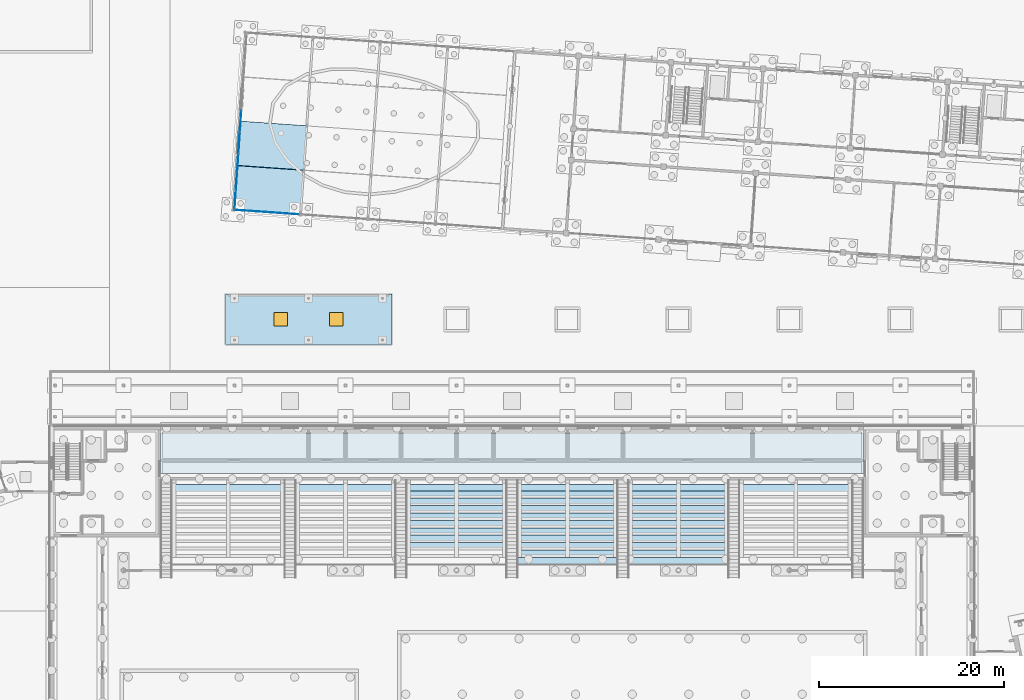
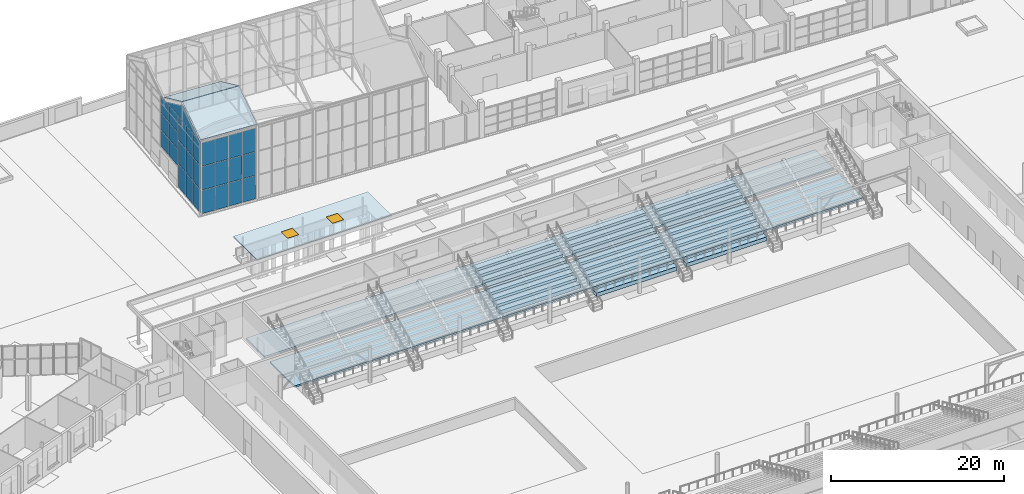
# One storey, part 67 of 157: 31 slabs, 30 plates, 2 windows, 2 openings, 3 elements without a shape of their own.
"""IFC4 building model written with IfcOpenShell, lengths in metres."""

from ifc_helpers import new_model, si_unit, direction, frame, origin, origin_2d, place, context, subcontext, project, spatial, polyline, rectangle, outline, extrude, material, layer, layer_set, type_object, element, fill, aggregate, save


model = new_model("IFC4")

# Units and contexts
model_context = context("Model", 3, precision=1e-05, world=origin(), true_north=direction((0.0, 1.0)))
body_context = subcontext(model_context, "Body", "Model", "MODEL_VIEW")
ifc_project = project(units=[si_unit("LENGTHUNIT", "METRE"), si_unit("AREAUNIT", "SQUARE_METRE"), si_unit("VOLUMEUNIT", "CUBIC_METRE"), si_unit("PLANEANGLEUNIT", "RADIAN"), si_unit("MASSUNIT", "GRAM", prefix="KILO")], contexts=[model_context])

# Site, building, storey
site_placement = place(None, origin())
site = spatial("IfcSite", under=ifc_project, at=site_placement, CompositionType="ELEMENT")
building_placement = place(site_placement, origin())
building = spatial("IfcBuilding", under=site, at=building_placement, Name="Windward Yard Aquatics Centre", CompositionType="ELEMENT")
storey_placement = place(building_placement, origin())
storey = spatial("IfcBuildingStorey", under=building, at=storey_placement, Name="L00", CompositionType="ELEMENT", Elevation=0.0)

# Slabs
ifc_material_1 = material(Name="Concrete C35/45", Category="concrete")
ifc_layer_1 = layer(ifc_material_1, 0.25)
ifc_layer_set_1 = layer_set([ifc_layer_1], Name="H ground slab 250 C35/45")
slab_type_1 = type_object("IfcSlabType", Name="H ground slab 250 C35/45", PredefinedType="BASESLAB", material=ifc_layer_set_1)
slab_1_placement = place(storey_placement, frame((0.0, 0.0, -0.25)))
element("IfcSlab", 1, at=slab_1_placement, inside=storey, type_object=slab_type_1, Name="H.GS.06", PredefinedType="BASESLAB", context=body_context, shape_type="SweptSolid", body=[
    extrude(outline(polyline([(64.0, 84.0), (64.0, 89.6904296875), (140.0, 89.6904296875), (140.0, 84.0), (64.0, 84.0)])), origin(), (0.0, 0.0, 1.0), 0.25),
])
slab_2_placement = place(storey_placement, frame((0.0, 0.0, -0.25)))
element("IfcSlab", 2, at=slab_2_placement, inside=storey, type_object=slab_type_1, Name="H.GS.07", PredefinedType="BASESLAB", context=body_context, shape_type="SweptSolid", body=[
    extrude(outline(polyline([(64.0, 90.890380859375), (64.0, 95.175048828125), (140.0, 95.175048828125), (140.0, 90.890380859375), (64.0, 90.890380859375)])), origin(), (0.0, 0.0, 1.0), 0.25),
])
ifc_layer_2 = layer(ifc_material_1, 0.5400390625)
ifc_layer_set_2 = layer_set([ifc_layer_2], Name="H seating unit 540 C35/45")
slab_type_2 = type_object("IfcSlabType", Name="H seating unit 540 C35/45", PredefinedType="USERDEFINED", material=ifc_layer_set_2)
slab_3_placement = place(storey_placement, frame((0.0, 0.0, 1.580078125)))
element("IfcSlab", 3, at=slab_3_placement, inside=storey, type_object=slab_type_2, Name="H.ST.N.3.R03", ObjectType="SEATING UNIT", PredefinedType="USERDEFINED", context=body_context, shape_type="SweptSolid", body=[
    extrude(outline(polyline([(90.625, 82.60009765625), (101.375, 82.60009765625), (101.375, 83.39990234375), (90.625, 83.39990234375), (90.625, 82.60009765625)])), origin(), (0.0, 0.0, 1.0), 0.5400390625),
])
slab_4_placement = place(storey_placement, frame((0.0, 0.0, 1.93994140625)))
element("IfcSlab", 4, at=slab_4_placement, inside=storey, type_object=slab_type_2, Name="H.ST.N.3.R04", ObjectType="SEATING UNIT", PredefinedType="USERDEFINED", context=body_context, shape_type="SweptSolid", body=[
    extrude(outline(polyline([(90.625, 83.39990234375), (101.375, 83.39990234375), (101.375, 84.199951171875), (90.625, 84.199951171875), (90.625, 83.39990234375)])), origin(), (0.0, 0.0, 1.0), 0.5400390625),
])
slab_5_placement = place(storey_placement, frame((0.0, 0.0, 2.300048828125)))
element("IfcSlab", 5, at=slab_5_placement, inside=storey, type_object=slab_type_2, Name="H.ST.N.3.R05", ObjectType="SEATING UNIT", PredefinedType="USERDEFINED", context=body_context, shape_type="SweptSolid", body=[
    extrude(outline(polyline([(90.625, 84.199951171875), (101.375, 84.199951171875), (101.375, 85.0), (90.625, 85.0), (90.625, 84.199951171875)])), origin(), (0.0, 0.0, 1.0), 0.5400390625),
])
slab_6_placement = place(storey_placement, frame((0.0, 0.0, 2.659912109375)))
element("IfcSlab", 6, at=slab_6_placement, inside=storey, type_object=slab_type_2, Name="H.ST.N.3.R06", ObjectType="SEATING UNIT", PredefinedType="USERDEFINED", context=body_context, shape_type="SweptSolid", body=[
    extrude(outline(polyline([(90.625, 85.0), (101.375, 85.0), (101.375, 85.800048828125), (90.625, 85.800048828125), (90.625, 85.0)])), origin(), (0.0, 0.0, 1.0), 0.5400390625),
])
slab_7_placement = place(storey_placement, frame((0.0, 0.0, 3.02001953125)))
element("IfcSlab", 7, at=slab_7_placement, inside=storey, type_object=slab_type_2, Name="H.ST.N.3.R07", ObjectType="SEATING UNIT", PredefinedType="USERDEFINED", context=body_context, shape_type="SweptSolid", body=[
    extrude(outline(polyline([(90.625, 85.800048828125), (101.375, 85.800048828125), (101.375, 86.60009765625), (90.625, 86.60009765625), (90.625, 85.800048828125)])), origin(), (0.0, 0.0, 1.0), 0.5400390625),
])
slab_8_placement = place(storey_placement, frame((0.0, 0.0, 3.3798828125)))
element("IfcSlab", 8, at=slab_8_placement, inside=storey, type_object=slab_type_2, Name="H.ST.N.3.R08", ObjectType="SEATING UNIT", PredefinedType="USERDEFINED", context=body_context, shape_type="SweptSolid", body=[
    extrude(outline(polyline([(90.625, 86.60009765625), (101.375, 86.60009765625), (101.375, 87.39990234375), (90.625, 87.39990234375), (90.625, 86.60009765625)])), origin(), (0.0, 0.0, 1.0), 0.5400390625),
])
slab_9_placement = place(storey_placement, frame((0.0, 0.0, 3.739990234375)))
element("IfcSlab", 9, at=slab_9_placement, inside=storey, type_object=slab_type_2, Name="H.ST.N.3.R09", ObjectType="SEATING UNIT", PredefinedType="USERDEFINED", context=body_context, shape_type="SweptSolid", body=[
    extrude(outline(polyline([(90.625, 87.39990234375), (101.375, 87.39990234375), (101.375, 88.199951171875), (90.625, 88.199951171875), (90.625, 87.39990234375)])), origin(), (0.0, 0.0, 1.0), 0.5400390625),
])
slab_10_placement = place(storey_placement, frame((0.0, 0.0, 4.10009765625)))
element("IfcSlab", 10, at=slab_10_placement, inside=storey, type_object=slab_type_2, Name="H.ST.N.3.R10", ObjectType="SEATING UNIT", PredefinedType="USERDEFINED", context=body_context, shape_type="SweptSolid", body=[
    extrude(outline(polyline([(90.625, 88.199951171875), (101.375, 88.199951171875), (101.375, 89.0), (90.625, 89.0), (90.625, 88.199951171875)])), origin(), (0.0, 0.0, 1.0), 0.539794921875),
])
slab_11_placement = place(storey_placement, frame((0.0, 0.0, 0.860107421875)))
element("IfcSlab", 11, at=slab_11_placement, inside=storey, type_object=slab_type_2, Name="H.ST.N.4.R01", ObjectType="SEATING UNIT", PredefinedType="USERDEFINED", context=body_context, shape_type="SweptSolid", body=[
    extrude(outline(polyline([(102.625, 81.0), (113.375, 81.0), (113.375, 81.800048828125), (102.625, 81.800048828125), (102.625, 81.0)])), origin(), (0.0, 0.0, 1.0), 0.539794921875),
])
slab_12_placement = place(storey_placement, frame((0.0, 0.0, 1.219970703125)))
element("IfcSlab", 12, at=slab_12_placement, inside=storey, type_object=slab_type_2, Name="H.ST.N.4.R02", ObjectType="SEATING UNIT", PredefinedType="USERDEFINED", context=body_context, shape_type="SweptSolid", body=[
    extrude(outline(polyline([(102.625, 81.800048828125), (113.375, 81.800048828125), (113.375, 82.60009765625), (102.625, 82.60009765625), (102.625, 81.800048828125)])), origin(), (0.0, 0.0, 1.0), 0.5400390625),
])
slab_13_placement = place(storey_placement, frame((0.0, 0.0, 1.580078125)))
element("IfcSlab", 13, at=slab_13_placement, inside=storey, type_object=slab_type_2, Name="H.ST.N.4.R03", ObjectType="SEATING UNIT", PredefinedType="USERDEFINED", context=body_context, shape_type="SweptSolid", body=[
    extrude(outline(polyline([(102.625, 82.60009765625), (113.375, 82.60009765625), (113.375, 83.39990234375), (102.625, 83.39990234375), (102.625, 82.60009765625)])), origin(), (0.0, 0.0, 1.0), 0.5400390625),
])
slab_14_placement = place(storey_placement, frame((0.0, 0.0, 1.93994140625)))
element("IfcSlab", 14, at=slab_14_placement, inside=storey, type_object=slab_type_2, Name="H.ST.N.4.R04", ObjectType="SEATING UNIT", PredefinedType="USERDEFINED", context=body_context, shape_type="SweptSolid", body=[
    extrude(outline(polyline([(102.625, 83.39990234375), (113.375, 83.39990234375), (113.375, 84.199951171875), (102.625, 84.199951171875), (102.625, 83.39990234375)])), origin(), (0.0, 0.0, 1.0), 0.5400390625),
])
slab_15_placement = place(storey_placement, frame((0.0, 0.0, 2.300048828125)))
element("IfcSlab", 15, at=slab_15_placement, inside=storey, type_object=slab_type_2, Name="H.ST.N.4.R05", ObjectType="SEATING UNIT", PredefinedType="USERDEFINED", context=body_context, shape_type="SweptSolid", body=[
    extrude(outline(polyline([(102.625, 84.199951171875), (113.375, 84.199951171875), (113.375, 85.0), (102.625, 85.0), (102.625, 84.199951171875)])), origin(), (0.0, 0.0, 1.0), 0.5400390625),
])
slab_16_placement = place(storey_placement, frame((0.0, 0.0, 2.659912109375)))
element("IfcSlab", 16, at=slab_16_placement, inside=storey, type_object=slab_type_2, Name="H.ST.N.4.R06", ObjectType="SEATING UNIT", PredefinedType="USERDEFINED", context=body_context, shape_type="SweptSolid", body=[
    extrude(outline(polyline([(102.625, 85.0), (113.375, 85.0), (113.375, 85.800048828125), (102.625, 85.800048828125), (102.625, 85.0)])), origin(), (0.0, 0.0, 1.0), 0.5400390625),
])
slab_17_placement = place(storey_placement, frame((0.0, 0.0, 3.02001953125)))
element("IfcSlab", 17, at=slab_17_placement, inside=storey, type_object=slab_type_2, Name="H.ST.N.4.R07", ObjectType="SEATING UNIT", PredefinedType="USERDEFINED", context=body_context, shape_type="SweptSolid", body=[
    extrude(outline(polyline([(102.625, 85.800048828125), (113.375, 85.800048828125), (113.375, 86.60009765625), (102.625, 86.60009765625), (102.625, 85.800048828125)])), origin(), (0.0, 0.0, 1.0), 0.5400390625),
])
slab_18_placement = place(storey_placement, frame((0.0, 0.0, 3.3798828125)))
element("IfcSlab", 18, at=slab_18_placement, inside=storey, type_object=slab_type_2, Name="H.ST.N.4.R08", ObjectType="SEATING UNIT", PredefinedType="USERDEFINED", context=body_context, shape_type="SweptSolid", body=[
    extrude(outline(polyline([(102.625, 86.60009765625), (113.375, 86.60009765625), (113.375, 87.39990234375), (102.625, 87.39990234375), (102.625, 86.60009765625)])), origin(), (0.0, 0.0, 1.0), 0.5400390625),
])
slab_19_placement = place(storey_placement, frame((0.0, 0.0, 3.739990234375)))
element("IfcSlab", 19, at=slab_19_placement, inside=storey, type_object=slab_type_2, Name="H.ST.N.4.R09", ObjectType="SEATING UNIT", PredefinedType="USERDEFINED", context=body_context, shape_type="SweptSolid", body=[
    extrude(outline(polyline([(102.625, 87.39990234375), (113.375, 87.39990234375), (113.375, 88.199951171875), (102.625, 88.199951171875), (102.625, 87.39990234375)])), origin(), (0.0, 0.0, 1.0), 0.5400390625),
])
slab_20_placement = place(storey_placement, frame((0.0, 0.0, 4.10009765625)))
element("IfcSlab", 20, at=slab_20_placement, inside=storey, type_object=slab_type_2, Name="H.ST.N.4.R10", ObjectType="SEATING UNIT", PredefinedType="USERDEFINED", context=body_context, shape_type="SweptSolid", body=[
    extrude(outline(polyline([(102.625, 88.199951171875), (113.375, 88.199951171875), (113.375, 89.0), (102.625, 89.0), (102.625, 88.199951171875)])), origin(), (0.0, 0.0, 1.0), 0.539794921875),
])
slab_21_placement = place(storey_placement, frame((0.0, 0.0, 0.860107421875)))
element("IfcSlab", 21, at=slab_21_placement, inside=storey, type_object=slab_type_2, Name="H.ST.N.5.R01", ObjectType="SEATING UNIT", PredefinedType="USERDEFINED", context=body_context, shape_type="SweptSolid", body=[
    extrude(outline(polyline([(114.625, 81.0), (125.375, 81.0), (125.375, 81.800048828125), (114.625, 81.800048828125), (114.625, 81.0)])), origin(), (0.0, 0.0, 1.0), 0.539794921875),
])
slab_22_placement = place(storey_placement, frame((0.0, 0.0, 1.219970703125)))
element("IfcSlab", 22, at=slab_22_placement, inside=storey, type_object=slab_type_2, Name="H.ST.N.5.R02", ObjectType="SEATING UNIT", PredefinedType="USERDEFINED", context=body_context, shape_type="SweptSolid", body=[
    extrude(outline(polyline([(114.625, 81.800048828125), (125.375, 81.800048828125), (125.375, 82.60009765625), (114.625, 82.60009765625), (114.625, 81.800048828125)])), origin(), (0.0, 0.0, 1.0), 0.5400390625),
])
slab_23_placement = place(storey_placement, frame((0.0, 0.0, 1.580078125)))
element("IfcSlab", 23, at=slab_23_placement, inside=storey, type_object=slab_type_2, Name="H.ST.N.5.R03", ObjectType="SEATING UNIT", PredefinedType="USERDEFINED", context=body_context, shape_type="SweptSolid", body=[
    extrude(outline(polyline([(114.625, 82.60009765625), (125.375, 82.60009765625), (125.375, 83.39990234375), (114.625, 83.39990234375), (114.625, 82.60009765625)])), origin(), (0.0, 0.0, 1.0), 0.5400390625),
])
slab_24_placement = place(storey_placement, frame((0.0, 0.0, 1.93994140625)))
element("IfcSlab", 24, at=slab_24_placement, inside=storey, type_object=slab_type_2, Name="H.ST.N.5.R04", ObjectType="SEATING UNIT", PredefinedType="USERDEFINED", context=body_context, shape_type="SweptSolid", body=[
    extrude(outline(polyline([(114.625, 83.39990234375), (125.375, 83.39990234375), (125.375, 84.199951171875), (114.625, 84.199951171875), (114.625, 83.39990234375)])), origin(), (0.0, 0.0, 1.0), 0.5400390625),
])
slab_25_placement = place(storey_placement, frame((0.0, 0.0, 2.300048828125)))
element("IfcSlab", 25, at=slab_25_placement, inside=storey, type_object=slab_type_2, Name="H.ST.N.5.R05", ObjectType="SEATING UNIT", PredefinedType="USERDEFINED", context=body_context, shape_type="SweptSolid", body=[
    extrude(outline(polyline([(114.625, 84.199951171875), (125.375, 84.199951171875), (125.375, 85.0), (114.625, 85.0), (114.625, 84.199951171875)])), origin(), (0.0, 0.0, 1.0), 0.5400390625),
])
slab_26_placement = place(storey_placement, frame((0.0, 0.0, 2.659912109375)))
element("IfcSlab", 26, at=slab_26_placement, inside=storey, type_object=slab_type_2, Name="H.ST.N.5.R06", ObjectType="SEATING UNIT", PredefinedType="USERDEFINED", context=body_context, shape_type="SweptSolid", body=[
    extrude(outline(polyline([(114.625, 85.0), (125.375, 85.0), (125.375, 85.800048828125), (114.625, 85.800048828125), (114.625, 85.0)])), origin(), (0.0, 0.0, 1.0), 0.5400390625),
])
slab_27_placement = place(storey_placement, frame((0.0, 0.0, 3.02001953125)))
element("IfcSlab", 27, at=slab_27_placement, inside=storey, type_object=slab_type_2, Name="H.ST.N.5.R07", ObjectType="SEATING UNIT", PredefinedType="USERDEFINED", context=body_context, shape_type="SweptSolid", body=[
    extrude(outline(polyline([(114.625, 85.800048828125), (125.375, 85.800048828125), (125.375, 86.60009765625), (114.625, 86.60009765625), (114.625, 85.800048828125)])), origin(), (0.0, 0.0, 1.0), 0.5400390625),
])
slab_28_placement = place(storey_placement, frame((0.0, 0.0, 3.3798828125)))
element("IfcSlab", 28, at=slab_28_placement, inside=storey, type_object=slab_type_2, Name="H.ST.N.5.R08", ObjectType="SEATING UNIT", PredefinedType="USERDEFINED", context=body_context, shape_type="SweptSolid", body=[
    extrude(outline(polyline([(114.625, 86.60009765625), (125.375, 86.60009765625), (125.375, 87.39990234375), (114.625, 87.39990234375), (114.625, 86.60009765625)])), origin(), (0.0, 0.0, 1.0), 0.5400390625),
])
slab_29_placement = place(storey_placement, frame((0.0, 0.0, 3.739990234375)))
element("IfcSlab", 29, at=slab_29_placement, inside=storey, type_object=slab_type_2, Name="H.ST.N.5.R09", ObjectType="SEATING UNIT", PredefinedType="USERDEFINED", context=body_context, shape_type="SweptSolid", body=[
    extrude(outline(polyline([(114.625, 87.39990234375), (125.375, 87.39990234375), (125.375, 88.199951171875), (114.625, 88.199951171875), (114.625, 87.39990234375)])), origin(), (0.0, 0.0, 1.0), 0.5400390625),
])
slab_30_placement = place(storey_placement, frame((0.0, 0.0, 4.10009765625)))
element("IfcSlab", 30, at=slab_30_placement, inside=storey, type_object=slab_type_2, Name="H.ST.N.5.R10", ObjectType="SEATING UNIT", PredefinedType="USERDEFINED", context=body_context, shape_type="SweptSolid", body=[
    extrude(outline(polyline([(114.625, 88.199951171875), (125.375, 88.199951171875), (125.375, 89.0), (114.625, 89.0), (114.625, 88.199951171875)])), origin(), (0.0, 0.0, 1.0), 0.539794921875),
])

# Curtain wall, plates
ifc_material_2 = material(Name="Aluminium curtain wall system", Category="aluminium")
curtain_wall_type = type_object("IfcCurtainWallType", Name="W curtain wall 1900", PredefinedType="NOTDEFINED", material=ifc_material_2)
curtain_wall_1_placement = place(storey_placement, origin())
curtain_wall_1 = element("IfcCurtainWall", 31, at=curtain_wall_1_placement, inside=storey, type_object=curtain_wall_type, Name="Wing south glazing L00 4", PredefinedType="NOTDEFINED")
ifc_material_3 = material(Name="Double glazed unit")
ifc_layer_3 = layer(ifc_material_3, 0.028076171875)
ifc_layer_set_3 = layer_set([ifc_layer_3], Name="W CW panel IGU 28")
plate_type_1 = type_object("IfcPlateType", Name="W CW panel IGU 28", PredefinedType="CURTAIN_PANEL", material=ifc_layer_set_3)
plate_1_placement = place(storey_placement, frame((72.87158203125, 119.31201171875, 0.06005859375), z_axis=(0.0, 0.0, 1.0), x_axis=(0.997564065823, -0.069756251182, 0.0)))
plate_1 = element("IfcPlate", 32, at=plate_1_placement, type_object=plate_type_1, Name="WCW1 panel 1.1", PredefinedType="CURTAIN_PANEL", context=body_context, shape_type="SweptSolid", body=[
    extrude(rectangle(XDim=1.67138671875, YDim=0.028076171875, at=origin_2d()), origin(), (0.0, 0.0, 1.0), 3.27587890625),
])
plate_2_placement = place(storey_placement, frame((72.87158203125, 119.31201171875, 3.39599609375), z_axis=(0.0, 0.0, 1.0), x_axis=(0.997564065823, -0.069756251182, 0.0)))
plate_2 = element("IfcPlate", 33, at=plate_2_placement, type_object=plate_type_1, Name="WCW1 panel 1.2", PredefinedType="CURTAIN_PANEL", context=body_context, shape_type="SweptSolid", body=[
    extrude(rectangle(XDim=1.67138671875, YDim=0.028076171875, at=origin_2d()), origin(), (0.0, 0.0, 1.0), 3.305908203125),
])
plate_3_placement = place(storey_placement, frame((72.87158203125, 119.31201171875, 6.761962890625), z_axis=(0.0, 0.0, 1.0), x_axis=(0.997564065823, -0.069756251182, 0.0)))
plate_3 = element("IfcPlate", 34, at=plate_3_placement, type_object=plate_type_1, Name="WCW1 panel 1.3", PredefinedType="CURTAIN_PANEL", context=body_context, shape_type="SweptSolid", body=[
    extrude(rectangle(XDim=1.67138671875, YDim=0.028076171875, at=origin_2d()), origin(), (0.0, 0.0, 1.0), 3.27587890625),
])
plate_4_placement = place(storey_placement, frame((74.61376953125, 119.190185546875, 0.06005859375), z_axis=(0.0, 0.0, 1.0), x_axis=(0.997564065823, -0.069756251182, 0.0)))
plate_4 = element("IfcPlate", 35, at=plate_4_placement, type_object=plate_type_1, Name="WCW1 panel 2.1", PredefinedType="CURTAIN_PANEL", context=body_context, shape_type="SweptSolid", body=[
    extrude(rectangle(XDim=1.701416015625, YDim=0.028076171875, at=origin_2d()), origin(), (0.0, 0.0, 1.0), 3.27587890625),
])
plate_5_placement = place(storey_placement, frame((74.61376953125, 119.190185546875, 3.39599609375), z_axis=(0.0, 0.0, 1.0), x_axis=(0.997564065823, -0.069756251182, 0.0)))
plate_5 = element("IfcPlate", 36, at=plate_5_placement, type_object=plate_type_1, Name="WCW1 panel 2.2", PredefinedType="CURTAIN_PANEL", context=body_context, shape_type="SweptSolid", body=[
    extrude(rectangle(XDim=1.701416015625, YDim=0.028076171875, at=origin_2d()), origin(), (0.0, 0.0, 1.0), 3.305908203125),
])
plate_6_placement = place(storey_placement, frame((74.61376953125, 119.190185546875, 6.761962890625), z_axis=(0.0, 0.0, 1.0), x_axis=(0.997564065823, -0.069756251182, 0.0)))
plate_6 = element("IfcPlate", 37, at=plate_6_placement, type_object=plate_type_1, Name="WCW1 panel 2.3", PredefinedType="CURTAIN_PANEL", context=body_context, shape_type="SweptSolid", body=[
    extrude(rectangle(XDim=1.701416015625, YDim=0.028076171875, at=origin_2d()), origin(), (0.0, 0.0, 1.0), 3.27587890625),
])
plate_7_placement = place(storey_placement, frame((76.370849609375, 119.067138671875, 0.06005859375), z_axis=(0.0, 0.0, 1.0), x_axis=(0.997564065823, -0.069756251182, 0.0)))
plate_7 = element("IfcPlate", 38, at=plate_7_placement, type_object=plate_type_1, Name="WCW1 panel 3.1", PredefinedType="CURTAIN_PANEL", context=body_context, shape_type="SweptSolid", body=[
    extrude(rectangle(XDim=1.701416015625, YDim=0.028076171875, at=origin_2d()), origin(), (0.0, 0.0, 1.0), 3.27587890625),
])
plate_8_placement = place(storey_placement, frame((76.370849609375, 119.067138671875, 3.39599609375), z_axis=(0.0, 0.0, 1.0), x_axis=(0.997564065823, -0.069756251182, 0.0)))
plate_8 = element("IfcPlate", 39, at=plate_8_placement, type_object=plate_type_1, Name="WCW1 panel 3.2", PredefinedType="CURTAIN_PANEL", context=body_context, shape_type="SweptSolid", body=[
    extrude(rectangle(XDim=1.701416015625, YDim=0.028076171875, at=origin_2d()), origin(), (0.0, 0.0, 1.0), 3.305908203125),
])
plate_9_placement = place(storey_placement, frame((76.370849609375, 119.067138671875, 6.761962890625), z_axis=(0.0, 0.0, 1.0), x_axis=(0.997564065823, -0.069756251182, 0.0)))
plate_9 = element("IfcPlate", 40, at=plate_9_placement, type_object=plate_type_1, Name="WCW1 panel 3.3", PredefinedType="CURTAIN_PANEL", context=body_context, shape_type="SweptSolid", body=[
    extrude(rectangle(XDim=1.701416015625, YDim=0.028076171875, at=origin_2d()), origin(), (0.0, 0.0, 1.0), 3.27587890625),
])
plate_10_placement = place(storey_placement, frame((78.113037109375, 118.9453125, 0.06005859375), z_axis=(0.0, 0.0, 1.0), x_axis=(0.997564065823, -0.069756251182, 0.0)))
plate_10 = element("IfcPlate", 41, at=plate_10_placement, type_object=plate_type_1, Name="WCW1 panel 4.1", PredefinedType="CURTAIN_PANEL", context=body_context, shape_type="SweptSolid", body=[
    extrude(rectangle(XDim=1.67138671875, YDim=0.028076171875, at=origin_2d()), origin(), (0.0, 0.0, 1.0), 3.27587890625),
])
plate_11_placement = place(storey_placement, frame((78.113037109375, 118.9453125, 3.39599609375), z_axis=(0.0, 0.0, 1.0), x_axis=(0.997564065823, -0.069756251182, 0.0)))
plate_11 = element("IfcPlate", 42, at=plate_11_placement, type_object=plate_type_1, Name="WCW1 panel 4.2", PredefinedType="CURTAIN_PANEL", context=body_context, shape_type="SweptSolid", body=[
    extrude(rectangle(XDim=1.67138671875, YDim=0.028076171875, at=origin_2d()), origin(), (0.0, 0.0, 1.0), 3.305908203125),
])
plate_12_placement = place(storey_placement, frame((78.113037109375, 118.9453125, 6.761962890625), z_axis=(0.0, 0.0, 1.0), x_axis=(0.997564065823, -0.069756251182, 0.0)))
plate_12 = element("IfcPlate", 43, at=plate_12_placement, type_object=plate_type_1, Name="WCW1 panel 4.3", PredefinedType="CURTAIN_PANEL", context=body_context, shape_type="SweptSolid", body=[
    extrude(rectangle(XDim=1.67138671875, YDim=0.028076171875, at=origin_2d()), origin(), (0.0, 0.0, 1.0), 3.27587890625),
])
aggregate(curtain_wall_1, [plate_1, plate_2, plate_3, plate_4, plate_5, plate_6, plate_7, plate_8, plate_9, plate_10, plate_11, plate_12])

curtain_wall_2_placement = place(storey_placement, origin())
curtain_wall_2 = element("IfcCurtainWall", 44, at=curtain_wall_2_placement, inside=storey, type_object=curtain_wall_type, Name="Wing west glazing L00 1", PredefinedType="NOTDEFINED")
plate_13_placement = place(storey_placement, frame((72.05712890625, 120.509033203125, 0.06005859375), z_axis=(0.0, 0.0, 1.0), x_axis=(0.069763319677, 0.997563571522, 0.0)))
plate_13 = element("IfcPlate", 45, at=plate_13_placement, type_object=plate_type_1, Name="WCW1 panel 1.1", PredefinedType="CURTAIN_PANEL", context=body_context, shape_type="SweptSolid", body=[
    extrude(rectangle(XDim=1.901123046875, YDim=0.028076171875, at=origin_2d()), origin(), (0.0, 0.0, 1.0), 3.27587890625),
])
plate_14_placement = place(storey_placement, frame((72.05712890625, 120.509033203125, 3.39599609375), z_axis=(0.0, 0.0, 1.0), x_axis=(0.069763319677, 0.997563571522, 0.0)))
plate_14 = element("IfcPlate", 46, at=plate_14_placement, type_object=plate_type_1, Name="WCW1 panel 1.2", PredefinedType="CURTAIN_PANEL", context=body_context, shape_type="SweptSolid", body=[
    extrude(rectangle(XDim=1.901123046875, YDim=0.028076171875, at=origin_2d()), origin(), (0.0, 0.0, 1.0), 3.305908203125),
])
plate_15_placement = place(storey_placement, frame((72.05712890625, 120.509033203125, 6.761962890625), z_axis=(0.0, 0.0, 1.0), x_axis=(0.069763319677, 0.997563571522, 0.0)))
plate_15 = element("IfcPlate", 47, at=plate_15_placement, type_object=plate_type_1, Name="WCW1 panel 1.3", PredefinedType="CURTAIN_PANEL", context=body_context, shape_type="SweptSolid", body=[
    extrude(rectangle(XDim=1.901123046875, YDim=0.028076171875, at=origin_2d()), origin(), (0.0, 0.0, 1.0), 3.27587890625),
])
plate_16_placement = place(storey_placement, frame((72.195068359375, 122.48046875, 0.06005859375), z_axis=(0.0, 0.0, 1.0), x_axis=(0.069763319677, 0.997563571522, 0.0)))
plate_16 = element("IfcPlate", 48, at=plate_16_placement, type_object=plate_type_1, Name="WCW1 panel 2.1", PredefinedType="CURTAIN_PANEL", context=body_context, shape_type="SweptSolid", body=[
    extrude(rectangle(XDim=1.930908203125, YDim=0.028076171875, at=origin_2d()), origin(), (0.0, 0.0, 1.0), 3.27587890625),
])
plate_17_placement = place(storey_placement, frame((72.195068359375, 122.48046875, 3.39599609375), z_axis=(0.0, 0.0, 1.0), x_axis=(0.069763319677, 0.997563571522, 0.0)))
plate_17 = element("IfcPlate", 49, at=plate_17_placement, type_object=plate_type_1, Name="WCW1 panel 2.2", PredefinedType="CURTAIN_PANEL", context=body_context, shape_type="SweptSolid", body=[
    extrude(rectangle(XDim=1.930908203125, YDim=0.028076171875, at=origin_2d()), origin(), (0.0, 0.0, 1.0), 3.305908203125),
])
plate_18_placement = place(storey_placement, frame((72.195068359375, 122.48046875, 6.761962890625), z_axis=(0.0, 0.0, 1.0), x_axis=(0.069763319677, 0.997563571522, 0.0)))
plate_18 = element("IfcPlate", 50, at=plate_18_placement, type_object=plate_type_1, Name="WCW1 panel 2.3", PredefinedType="CURTAIN_PANEL", context=body_context, shape_type="SweptSolid", body=[
    extrude(rectangle(XDim=1.930908203125, YDim=0.028076171875, at=origin_2d()), origin(), (0.0, 0.0, 1.0), 3.27587890625),
])
plate_19_placement = place(storey_placement, frame((72.3330078125, 124.45166015625, 0.06005859375), z_axis=(0.0, 0.0, 1.0), x_axis=(0.069763319677, 0.997563571522, 0.0)))
plate_19 = element("IfcPlate", 51, at=plate_19_placement, type_object=plate_type_1, Name="WCW1 panel 3.1", PredefinedType="CURTAIN_PANEL", context=body_context, shape_type="SweptSolid", body=[
    extrude(rectangle(XDim=1.901123046875, YDim=0.028076171875, at=origin_2d()), origin(), (0.0, 0.0, 1.0), 3.27587890625),
])
plate_20_placement = place(storey_placement, frame((72.3330078125, 124.45166015625, 3.39599609375), z_axis=(0.0, 0.0, 1.0), x_axis=(0.069763319677, 0.997563571522, 0.0)))
plate_20 = element("IfcPlate", 52, at=plate_20_placement, type_object=plate_type_1, Name="WCW1 panel 3.2", PredefinedType="CURTAIN_PANEL", context=body_context, shape_type="SweptSolid", body=[
    extrude(rectangle(XDim=1.901123046875, YDim=0.028076171875, at=origin_2d()), origin(), (0.0, 0.0, 1.0), 3.305908203125),
])
plate_21_placement = place(storey_placement, frame((72.3330078125, 124.45166015625, 6.761962890625), z_axis=(0.0, 0.0, 1.0), x_axis=(0.069763319677, 0.997563571522, 0.0)))
plate_21 = element("IfcPlate", 53, at=plate_21_placement, type_object=plate_type_1, Name="WCW1 panel 3.3", PredefinedType="CURTAIN_PANEL", context=body_context, shape_type="SweptSolid", body=[
    extrude(rectangle(XDim=1.901123046875, YDim=0.028076171875, at=origin_2d()), origin(), (0.0, 0.0, 1.0), 3.27587890625),
])
aggregate(curtain_wall_2, [plate_13, plate_14, plate_15, plate_16, plate_17, plate_18, plate_19, plate_20, plate_21])

curtain_wall_3_placement = place(storey_placement, origin())
curtain_wall_3 = element("IfcCurtainWall", 54, at=curtain_wall_3_placement, inside=storey, type_object=curtain_wall_type, Name="Wing west glazing L00 3", PredefinedType="NOTDEFINED")
plate_22_placement = place(storey_placement, frame((72.48583984375, 126.638427734375, 2.9599609375), z_axis=(0.0, 0.0, 1.0), x_axis=(0.069757620279, 0.997563970086, 0.0)))
plate_22 = element("IfcPlate", 55, at=plate_22_placement, type_object=plate_type_1, Name="WCW1 panel 1.1", PredefinedType="CURTAIN_PANEL", context=body_context, shape_type="SweptSolid", body=[
    extrude(rectangle(XDim=2.243408203125, YDim=0.028076171875, at=origin_2d()), origin(), (0.0, 0.0, 1.0), 2.309326171875),
])
plate_23_placement = place(storey_placement, frame((72.48583984375, 126.638427734375, 5.329345703125), z_axis=(0.0, 0.0, 1.0), x_axis=(0.069757620279, 0.997563970086, 0.0)))
plate_23 = element("IfcPlate", 56, at=plate_23_placement, type_object=plate_type_1, Name="WCW1 panel 1.2", PredefinedType="CURTAIN_PANEL", context=body_context, shape_type="SweptSolid", body=[
    extrude(rectangle(XDim=2.243408203125, YDim=0.028076171875, at=origin_2d()), origin(), (0.0, 0.0, 1.0), 2.33935546875),
])
plate_24_placement = place(storey_placement, frame((72.48583984375, 126.638427734375, 7.728515625), z_axis=(0.0, 0.0, 1.0), x_axis=(0.069757620279, 0.997563970086, 0.0)))
plate_24 = element("IfcPlate", 57, at=plate_24_placement, type_object=plate_type_1, Name="WCW1 panel 1.3", PredefinedType="CURTAIN_PANEL", context=body_context, shape_type="SweptSolid", body=[
    extrude(rectangle(XDim=2.243408203125, YDim=0.028076171875, at=origin_2d()), origin(), (0.0, 0.0, 1.0), 2.309326171875),
])
plate_25_placement = place(storey_placement, frame((72.6474609375, 128.951171875, 2.9599609375), z_axis=(0.0, 0.0, 1.0), x_axis=(0.069757620279, 0.997563970086, 0.0)))
plate_25 = element("IfcPlate", 58, at=plate_25_placement, type_object=plate_type_1, Name="WCW1 panel 2.1", PredefinedType="CURTAIN_PANEL", context=body_context, shape_type="SweptSolid", body=[
    extrude(rectangle(XDim=2.2734375, YDim=0.028076171875, at=origin_2d()), origin(), (0.0, 0.0, 1.0), 2.309326171875),
])
plate_26_placement = place(storey_placement, frame((72.6474609375, 128.951171875, 5.329345703125), z_axis=(0.0, 0.0, 1.0), x_axis=(0.069757620279, 0.997563970086, 0.0)))
plate_26 = element("IfcPlate", 59, at=plate_26_placement, type_object=plate_type_1, Name="WCW1 panel 2.2", PredefinedType="CURTAIN_PANEL", context=body_context, shape_type="SweptSolid", body=[
    extrude(rectangle(XDim=2.2734375, YDim=0.028076171875, at=origin_2d()), origin(), (0.0, 0.0, 1.0), 2.33935546875),
])
plate_27_placement = place(storey_placement, frame((72.6474609375, 128.951171875, 7.728515625), z_axis=(0.0, 0.0, 1.0), x_axis=(0.069757620279, 0.997563970086, 0.0)))
plate_27 = element("IfcPlate", 60, at=plate_27_placement, type_object=plate_type_1, Name="WCW1 panel 2.3", PredefinedType="CURTAIN_PANEL", context=body_context, shape_type="SweptSolid", body=[
    extrude(rectangle(XDim=2.2734375, YDim=0.028076171875, at=origin_2d()), origin(), (0.0, 0.0, 1.0), 2.309326171875),
])
aggregate(curtain_wall_3, [plate_22, plate_23, plate_24, plate_25, plate_26, plate_27])

# Plates
ifc_material_4 = material(Name="Laminated glass", Category="glass")
ifc_layer_4 = layer(ifc_material_4, 0.0400390625)
ifc_layer_set_4 = layer_set([ifc_layer_4], Name="W glazed roof panel 40")
plate_type_2 = type_object("IfcPlateType", Name="W glazed roof panel 40", PredefinedType="SHEET", material=ifc_layer_set_4)
plate_28_placement = place(storey_placement, frame((71.9853515625, 119.373779296875, 9.904052734375), z_axis=(-0.997563958943, 0.069757761163, 5.0740791e-05), x_axis=(0.069757761253, 0.997563960228, 0.0)))
element("IfcPlate", 61, at=plate_28_placement, inside=storey, type_object=plate_type_2, Name="W.GLT.1", PredefinedType="SHEET", context=body_context, shape_type="SweptSolid", body=[
    extrude(outline(polyline([(0.0, 0.0), (9.600046, 0.0), (4.800032, -2.399902), (0.0, 0.0)])), origin(), (0.0, 0.0, -1.0), 0.030029296875),
])
plate_29_placement = place(storey_placement, frame((71.849853515625, 119.365478515625, 10.535888671875), z_axis=(-0.031198183162, -0.446107098442, 0.894435648936), x_axis=(0.997563531133, -0.069763897209, 0.0)))
element("IfcPlate", 62, at=plate_29_placement, inside=storey, type_object=plate_type_2, Name="W.GRP.1.1", PredefinedType="SHEET", context=body_context, shape_type="SweptSolid", body=[
    extrude(outline(polyline([(0.0, 0.0), (7.300013, 0.0), (7.300105, 5.366548), (9.2e-05, 5.366548), (0.0, 0.0)])), origin(), (0.0, 0.0, -1.0), 0.0400390625),
])
plate_30_placement = place(storey_placement, frame((72.187255859375, 124.189453125, 12.935791015625), z_axis=(0.031198747876, 0.446107695239, 0.89443533158), x_axis=(0.997563514856, -0.069764129945, -4.6663e-07)))
element("IfcPlate", 63, at=plate_30_placement, inside=storey, type_object=plate_type_2, Name="W.GRP.1.2", PredefinedType="SHEET", context=body_context, shape_type="SweptSolid", body=[
    extrude(outline(polyline([(0.0, 0.0), (7.300013, 0.0), (7.299862, 5.366533), (9.2e-05, 5.366548), (0.0, 0.0)])), origin(), (0.0, 0.0, -1.0), 0.0400390625),
])

# Slab, openings, windows
ifc_material_5 = material(Name="Concrete C30/37", Category="concrete")
ifc_layer_5 = layer(ifc_material_5, 0.14990234375)
ifc_layer_set_5 = layer_set([ifc_layer_5], Name="X Shelter Roof Deck 150")
slab_type_3 = type_object("IfcSlabType", Name="X Shelter Roof Deck 150", PredefinedType="ROOF", material=ifc_layer_set_5)
slab_31_placement = place(storey_placement, frame((0.0, 0.0, 2.60009765625)))
slab_31 = element("IfcSlab", 64, at=slab_31_placement, inside=storey, type_object=slab_type_3, Name="Bicycle shelter roof", PredefinedType="ROOF", context=body_context, shape_type="SweptSolid", body=[
    extrude(outline(polyline([(71.0, 104.800048828125), (89.0, 104.800048828125), (89.0, 110.300048828125), (71.0, 110.300048828125), (71.0, 104.800048828125)])), origin(), (0.0, 0.0, 1.0), 0.14990234375),
])
opening_1_placement = place(slab_31_placement, frame((77.0, 107.550048828125, 0.0)))
opening_1 = element("IfcOpeningElement", 65, at=opening_1_placement, cuts=slab_31, Name="Opening XSK1", PredefinedType="OPENING", context=body_context, shape_type="SweptSolid", body=[
    extrude(rectangle(XDim=1.5, YDim=1.5, at=origin_2d()), origin(), (0.0, 0.0, 1.0), 0.14990234375),
])
opening_2_placement = place(slab_31_placement, frame((83.0, 107.550048828125, 0.0)))
opening_2 = element("IfcOpeningElement", 66, at=opening_2_placement, cuts=slab_31, Name="Opening XSK2", PredefinedType="OPENING", context=body_context, shape_type="SweptSolid", body=[
    extrude(rectangle(XDim=1.5, YDim=1.5, at=origin_2d()), origin(), (0.0, 0.0, 1.0), 0.14990234375),
])
ifc_material_6 = material(Name="Aluminium framed laminated glazing", Category="aluminium")
window_type = type_object("IfcWindowType", Name="X Shelter Roof Light 1500x1500", PartitioningType="SINGLE_PANEL", PredefinedType="SKYLIGHT", material=ifc_material_6)
window_1_placement = place(opening_1_placement, frame((0.0, 0.0, 0.099853515625)))
window_1 = element("IfcWindow", 67, at=window_1_placement, inside=storey, type_object=window_type, Name="Bicycle shelter roof light 1", OverallHeight=1.5, OverallWidth=1.5, PartitioningType="SINGLE_PANEL", PredefinedType="SKYLIGHT", context=body_context, shape_type="SweptSolid", body=[
    extrude(rectangle(XDim=1.5, YDim=1.5, at=origin_2d()), origin(), (0.0, 0.0, 1.0), 0.050048828125),
])
fill(opening_1, window_1)
window_2_placement = place(opening_2_placement, frame((0.0, 0.0, 0.099853515625)))
window_2 = element("IfcWindow", 68, at=window_2_placement, inside=storey, type_object=window_type, Name="Bicycle shelter roof light 2", OverallHeight=1.5, OverallWidth=1.5, PartitioningType="SINGLE_PANEL", PredefinedType="SKYLIGHT", context=body_context, shape_type="SweptSolid", body=[
    extrude(rectangle(XDim=1.5, YDim=1.5, at=origin_2d()), origin(), (0.0, 0.0, 1.0), 0.050048828125),
])
fill(opening_2, window_2)

save(model, "model.ifc")
